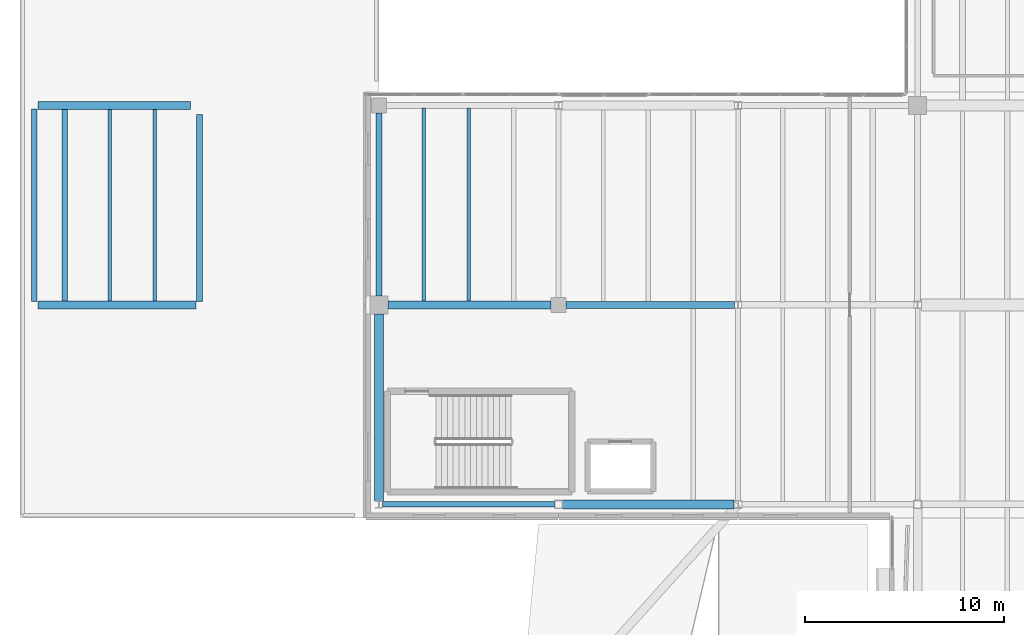
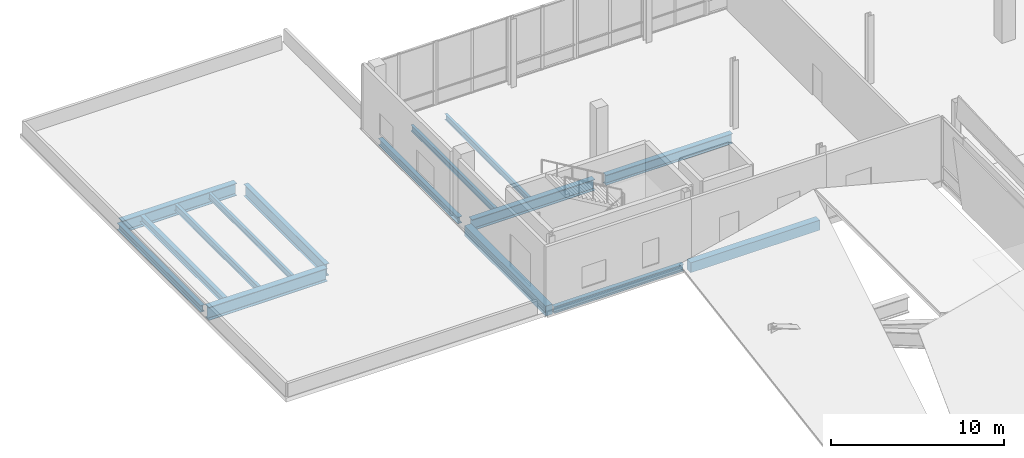
# One storey, part 12 of 41: 15 beams.
"""IFC4 building model written with IfcOpenShell, lengths in metres."""

import ifcopenshell
import ifcopenshell.guid

model = None  # the IFC model being written
_history = None  # IfcOwnerHistory: only IFC2X3 demands one
_inside = {}  # id of a spatial element -> (the spatial element, [elements in it])
_under = {}  # id of a project, library or spatial element -> (it, [spatial elements below it])
_declared = {}  # id of a project -> (the project, [libraries it declares])
_typed = {}  # id of a type object -> (the type object, [elements of that type])
_made_of = {}  # id of a material, layer set ... -> (it, [elements and type objects made of it])


def new_model(schema):
    """Start an empty IFC model of exactly this schema.

    Asked for "IFC4X3", IfcOpenShell would pick the latest addendum, in which some entities
    have other attributes; the version numbers below select the first issue.
    IFC2X3 requires an IfcOwnerHistory on every rooted entity: one is made here for all.
    """
    global model, _history
    if schema == "IFC4X3":
        model = ifcopenshell.file(schema_version=(4, 3, 0, 0))
    else:
        model = ifcopenshell.file(schema=schema)
    _inside.clear()
    _under.clear()
    _declared.clear()
    _typed.clear()
    _made_of.clear()
    _history = None
    if model.schema == "IFC2X3":
        org = make("IfcOrganization", Name="unknown")
        user = make(
            "IfcPersonAndOrganization",
            ThePerson=make("IfcPerson", FamilyName="unknown"),
            TheOrganization=org,
        )
        app = make(
            "IfcApplication",
            ApplicationDeveloper=org,
            Version="unknown",
            ApplicationFullName="unknown",
            ApplicationIdentifier="unknown",
        )
        _history = make(
            "IfcOwnerHistory",
            OwningUser=user,
            OwningApplication=app,
            ChangeAction="ADDED",
            CreationDate=0,
        )
    return model


def make(cls, **values):
    """One entity of the class cls with the attributes given. An attribute that is None is left unset."""
    return model.create_entity(
        cls, **{name: value for name, value in values.items() if value is not None}
    )


def rooted(cls, **values):
    """An entity with a GlobalId (a new one), such as an element, a storey or a relation."""
    return make(cls, GlobalId=ifcopenshell.guid.new(), OwnerHistory=_history, **values)


def si_unit(unit_type, name, prefix=None):
    """IfcSIUnit, for example si_unit("LENGTHUNIT", "METRE", prefix="MILLI")."""
    return make("IfcSIUnit", UnitType=unit_type, Prefix=prefix, Name=name)


def assignment(units):
    """IfcUnitAssignment: the units of a project."""
    return None if units is None else make("IfcUnitAssignment", Units=units)


def point(xyz):
    """IfcCartesianPoint."""
    return None if xyz is None else make("IfcCartesianPoint", Coordinates=xyz)


def direction(xyz):
    """IfcDirection."""
    return None if xyz is None else make("IfcDirection", DirectionRatios=xyz)


def frame(location, z_axis=None, x_axis=None):
    """IfcAxis2Placement3D, a coordinate frame: its origin and axes. An axis left out is left unset."""
    return make(
        "IfcAxis2Placement3D",
        Location=point(location),
        Axis=direction(z_axis),
        RefDirection=direction(x_axis),
    )


def frame_2d(location, x_axis=None):
    """IfcAxis2Placement2D, a coordinate frame in the plane: its origin and x axis."""
    return make(
        "IfcAxis2Placement2D", Location=point(location), RefDirection=direction(x_axis)
    )


def origin():
    """The frame at (0, 0, 0) with its axes left unset."""
    return frame((0.0, 0.0, 0.0))


def origin_2d():
    """The frame at (0, 0) in the plane with its x axis left unset."""
    return frame_2d((0.0, 0.0))


def place(relative_to, where):
    """IfcLocalPlacement: puts the frame where relative to a parent placement (None: the world)."""
    return make(
        "IfcLocalPlacement", PlacementRelTo=relative_to, RelativePlacement=where
    )


def context(
    kind, dimensions, precision=None, world=None, true_north=None, identifier=None
):
    """IfcGeometricRepresentationContext, for example the 3D "Model" context."""
    return make(
        "IfcGeometricRepresentationContext",
        ContextIdentifier=identifier,
        ContextType=kind,
        CoordinateSpaceDimension=dimensions,
        Precision=precision,
        WorldCoordinateSystem=world,
        TrueNorth=true_north,
    )


def subcontext(parent, identifier, kind, view, scale=None):
    """IfcGeometricRepresentationSubContext, for example "Body" below "Model"."""
    return make(
        "IfcGeometricRepresentationSubContext",
        ContextIdentifier=identifier,
        ContextType=kind,
        ParentContext=parent,
        TargetScale=scale,
        TargetView=view,
    )


def project(units=None, contexts=None):
    """IfcProject with its units and contexts."""
    return rooted(
        "IfcProject",
        Name="project",
        RepresentationContexts=contexts,
        UnitsInContext=assignment(units),
    )


def spatial(cls, under=None, at=None, **own):
    """A site, building, storey or space (cls), placed at a placement, below another one or the project."""
    s = rooted(cls, ObjectPlacement=at, **own)
    if under is not None:
        _under.setdefault(under.id(), (under, []))[1].append(s)
    return s


def profile(cls, at=None, kind="AREA", **sizes):
    """A parametric profile (cls). Its sizes go by their IFC names, for example OverallWidth=200.0."""
    return make(cls, ProfileType=kind, Position=at, **sizes)


def rectangle(**sizes):
    """IfcRectangleProfileDef."""
    return profile("IfcRectangleProfileDef", **sizes)


def i_section(**sizes):
    """IfcIShapeProfileDef."""
    return profile("IfcIShapeProfileDef", **sizes)


def extrude(swept, where, along, depth):
    """IfcExtrudedAreaSolid: the profile swept, set in the frame where, extruded along a direction by depth."""
    return make(
        "IfcExtrudedAreaSolid",
        SweptArea=swept,
        Position=where,
        ExtrudedDirection=direction(along),
        Depth=depth,
    )


def shape(context_of_items, identifier, shape_type, items):
    """IfcShapeRepresentation: the items that make up one representation, for example the "Body"."""
    return make(
        "IfcShapeRepresentation",
        ContextOfItems=context_of_items,
        RepresentationIdentifier=identifier,
        RepresentationType=shape_type,
        Items=items,
    )


def material(Name=None, Category=None):
    """IfcMaterial."""
    return make("IfcMaterial", Name=Name, Category=Category)


def material_profile(
    of_material, cross_section, Name=None, Category=None, Priority=None
):
    """IfcMaterialProfile: a cross section and its material."""
    return make(
        "IfcMaterialProfile",
        Name=Name,
        Material=of_material,
        Profile=cross_section,
        Priority=Priority,
        Category=Category,
    )


def profile_set(profiles, Name=None, composite=None):
    """IfcMaterialProfileSet."""
    return make(
        "IfcMaterialProfileSet",
        Name=Name,
        MaterialProfiles=profiles,
        CompositeProfile=composite,
    )


def made_of(thing, what):
    """Note that an element or type object is made of a material, layer set ...; save() writes the relation."""
    if what is not None:
        _made_of.setdefault(what.id(), (what, []))[1].append(thing)
    return thing


def type_object(cls, material=None, **own):
    """A type object (cls), such as IfcWallType, which elements share."""
    return made_of(rooted(cls, **own), material)


def element(
    cls,
    number,
    at=None,
    inside=None,
    cuts=None,
    type_object=None,
    material=None,
    context=None,
    identifier="Body",
    shape_type=None,
    held_by="IfcProductDefinitionShape",
    body=None,
    shapes=None,
    **own,
):
    """One element of the class cls, such as IfcWall. Its Tag is "e" and its number.

    at: its placement. inside: the storey or other place that contains it. cuts: it is an
    opening in that element (IfcRelVoidsElement). A single representation is given by context,
    identifier, shape_type and body (its items); several are given by shapes. held_by: the class
    of the entity that holds the representations. save() writes the other relations.
    """
    e = rooted(cls, Tag="e%d" % number, ObjectPlacement=at, **own)
    if body is not None:
        shapes = [shape(context, identifier, shape_type, body)]
    if shapes is not None:
        e.Representation = make(held_by, Representations=shapes)
    if inside is not None:
        _inside.setdefault(inside.id(), (inside, []))[1].append(e)
    if cuts is not None:
        rooted(
            "IfcRelVoidsElement", RelatingBuildingElement=cuts, RelatedOpeningElement=e
        )
    if type_object is not None:
        _typed.setdefault(type_object.id(), (type_object, []))[1].append(e)
    return made_of(e, material)


def aggregate(whole, parts):
    """IfcRelAggregates: a whole, such as a stair, and the parts it consists of."""
    return rooted("IfcRelAggregates", RelatingObject=whole, RelatedObjects=parts)


def save(model, path):
    """Write the relations noted so far, then the file.

    IfcRelAggregates (storeys below a building ...), IfcRelContainedInSpatialStructure (elements
    in a storey), IfcRelDefinesByType, IfcRelAssociatesMaterial and IfcRelDeclares: one each for
    every whole, place, type object, material and project.
    """
    for whole, parts in _under.values():
        aggregate(whole, parts)
    for where, things in _inside.values():
        rooted(
            "IfcRelContainedInSpatialStructure",
            RelatedElements=things,
            RelatingStructure=where,
        )
    for kind, things in _typed.values():
        rooted("IfcRelDefinesByType", RelatedObjects=things, RelatingType=kind)
    for what, things in _made_of.values():
        rooted("IfcRelAssociatesMaterial", RelatedObjects=things, RelatingMaterial=what)
    for by, libraries in _declared.values():
        rooted("IfcRelDeclares", RelatingContext=by, RelatedDefinitions=libraries)
    model.write(path)


model = new_model("IFC4")

# Units and contexts
model_context = context("Model", 3, precision=1e-05, world=origin(), true_north=direction((0.0, 1.0)))
body_context = subcontext(model_context, "Body", "Model", "MODEL_VIEW")
ifc_project = project(units=[si_unit("LENGTHUNIT", "METRE"), si_unit("AREAUNIT", "SQUARE_METRE"), si_unit("VOLUMEUNIT", "CUBIC_METRE"), si_unit("PLANEANGLEUNIT", "RADIAN"), si_unit("MASSUNIT", "GRAM", prefix="KILO")], contexts=[model_context])

# Site, building, storey
site_placement = place(None, origin())
site = spatial("IfcSite", under=ifc_project, at=site_placement, CompositionType="ELEMENT")
building_placement = place(site_placement, origin())
building = spatial("IfcBuilding", under=site, at=building_placement, Name="Trimount Lyric Opera House", CompositionType="ELEMENT")
storey_placement = place(building_placement, frame((0.0, 0.0, 20.0)))
storey = spatial("IfcBuildingStorey", under=building, at=storey_placement, Name="L04", CompositionType="ELEMENT", Elevation=20.0)

# Beams
ifc_material_1 = material(Name="Steel ASTM A992 Grade 50", Category="steel")
ifc_material_profile_1 = material_profile(ifc_material_1, i_section(OverallWidth=0.4189453125, OverallDepth=0.927001953125, WebThickness=0.019287109375, FlangeThickness=0.031982421875, FilletRadius=0.02392578125, at=origin_2d()), Name="W36X231")
ifc_profile_set_1 = profile_set([ifc_material_profile_1], Name="Steel ASTM A992 Grade 50")
beam_type_1 = type_object("IfcBeamType", Name="B-02", PredefinedType="BEAM", material=ifc_profile_set_1)
beam_1_placement = place(storey_placement, frame((0.904052734375, 64.0, -0.75341796875), z_axis=(1.0, 0.0, 0.0), x_axis=(0.0, 1.0, 0.0)))
element("IfcBeam", 1, at=beam_1_placement, inside=storey, type_object=beam_type_1, Name="L04 girder X-1149", PredefinedType="BEAM", context=body_context, shape_type="SweptSolid", body=[
    extrude(i_section(OverallWidth=0.4189453125, OverallDepth=0.927001953125, WebThickness=0.019287109375, FlangeThickness=0.031982421875, FilletRadius=0.02392578125, at=origin_2d()), origin(), (0.0, 0.0, 1.0), 7.909423828125),
])
ifc_material_2 = material(Name="Steel ASTM A992 Grade 50", Category="steel")
ifc_material_profile_2 = material_profile(ifc_material_2, i_section(OverallWidth=0.40087890625, OverallDepth=0.861083984375, WebThickness=0.019775390625, FlangeThickness=0.032470703125, FilletRadius=0.02001953125, at=origin_2d()), Name="W33X221")
ifc_profile_set_2 = profile_set([ifc_material_profile_2], Name="Steel ASTM A992 Grade 50")
beam_type_2 = type_object("IfcBeamType", Name="B-04", PredefinedType="BEAM", material=ifc_profile_set_2)
beam_2_placement = place(storey_placement, frame((0.906494140625, 74.0, -0.720458984375), z_axis=(1.0, 0.0, 0.0), x_axis=(0.0, 1.0, 0.0)))
element("IfcBeam", 2, at=beam_2_placement, inside=storey, type_object=beam_type_2, Name="L04 girder X-1158", PredefinedType="BEAM", context=body_context, shape_type="SweptSolid", body=[
    extrude(i_section(OverallWidth=0.40087890625, OverallDepth=0.861083984375, WebThickness=0.019775390625, FlangeThickness=0.032470703125, FilletRadius=0.02001953125, at=origin_2d()), origin(), (0.0, 0.0, 1.0), 7.6435546875),
])
ifc_material_3 = material(Name="Steel ASTM A992 Grade 50", Category="steel")
ifc_material_profile_3 = material_profile(ifc_material_3, i_section(OverallWidth=0.2919921875, OverallDepth=0.845947265625, WebThickness=0.015380859375, FlangeThickness=0.0244140625, FilletRadius=0.01806640625, at=origin_2d()), Name="W33X141")
ifc_profile_set_3 = profile_set([ifc_material_profile_3], Name="Steel ASTM A992 Grade 50")
beam_type_3 = type_object("IfcBeamType", Name="B-05", PredefinedType="BEAM", material=ifc_profile_set_3)
beam_3_placement = place(storey_placement, frame((9.0, 64.18408203125, -0.712890625), z_axis=(0.0, 1.0, 0.0), x_axis=(-1.0, 0.0, 0.0)))
element("IfcBeam", 3, at=beam_3_placement, inside=storey, type_object=beam_type_3, Name="L04 girder Y-1188", PredefinedType="BEAM", context=body_context, shape_type="SweptSolid", body=[
    extrude(i_section(OverallWidth=0.2919921875, OverallDepth=0.845947265625, WebThickness=0.015380859375, FlangeThickness=0.0244140625, FilletRadius=0.01806640625, at=origin_2d()), origin(), (0.0, 0.0, 1.0), 9.365966796875),
])
ifc_material_4 = material(Name="Steel ASTM A992 Grade 50", Category="steel")
ifc_material_profile_4 = material_profile(ifc_material_4, i_section(OverallWidth=0.382080078125, OverallDepth=0.779052734375, WebThickness=0.01806640625, FlangeThickness=0.0302734375, FilletRadius=0.01904296875, at=origin_2d()), Name="W30X191")
ifc_profile_set_4 = profile_set([ifc_material_profile_4], Name="Steel ASTM A992 Grade 50")
beam_type_4 = type_object("IfcBeamType", Name="B-06", PredefinedType="BEAM", material=ifc_profile_set_4)
beam_4_placement = place(storey_placement, frame((18.449951171875, 64.0, -0.66943359375), z_axis=(1.0, 0.0, 0.0), x_axis=(0.0, 1.0, 0.0)))
element("IfcBeam", 4, at=beam_4_placement, inside=storey, type_object=beam_type_4, Name="L04 girder X-1150", PredefinedType="BEAM", context=body_context, shape_type="SweptSolid", body=[
    extrude(i_section(OverallWidth=0.382080078125, OverallDepth=0.779052734375, WebThickness=0.01806640625, FlangeThickness=0.0302734375, FilletRadius=0.01904296875, at=origin_2d()), origin(), (0.0, 0.0, 1.0), 8.175048828125),
])
ifc_material_5 = material(Name="Steel ASTM A992 Grade 50", Category="steel")
ifc_material_profile_5 = material_profile(ifc_material_5, i_section(OverallWidth=0.35595703125, OverallDepth=0.700927734375, WebThickness=0.016845703125, FlangeThickness=0.02734375, FilletRadius=0.01806640625, at=origin_2d()), Name="W27X161")
ifc_profile_set_5 = profile_set([ifc_material_profile_5], Name="Steel ASTM A992 Grade 50")
beam_type_5 = type_object("IfcBeamType", Name="B-08", PredefinedType="BEAM", material=ifc_profile_set_5)
beam_5_placement = place(storey_placement, frame((27.375, 64.0, -0.630615234375), z_axis=(1.0, 0.0, 0.0), x_axis=(0.0, 1.0, 0.0)))
element("IfcBeam", 5, at=beam_5_placement, inside=storey, type_object=beam_type_5, Name="L04 girder X-1151", PredefinedType="BEAM", context=body_context, shape_type="SweptSolid", body=[
    extrude(i_section(OverallWidth=0.35595703125, OverallDepth=0.700927734375, WebThickness=0.016845703125, FlangeThickness=0.02734375, FilletRadius=0.01806640625, at=origin_2d()), origin(), (0.0, 0.0, 1.0), 8.44091796875),
])
ifc_material_6 = material(Name="Steel ASTM A992 Grade 50", Category="steel")
ifc_material_profile_6 = material_profile(ifc_material_6, i_section(OverallWidth=0.281982421875, OverallDepth=0.467041015625, WebThickness=0.01220703125, FlangeThickness=0.01953125, FilletRadius=0.012939453125, at=origin_2d()), Name="W18X86")
ifc_profile_set_6 = profile_set([ifc_material_profile_6], Name="Steel ASTM A992 Grade 50")
beam_type_6 = type_object("IfcBeamType", Name="J-03", PredefinedType="BEAM", material=ifc_profile_set_6)
beam_6_placement = place(storey_placement, frame((2.25, 64.20556640625, -0.5234375), z_axis=(0.0, 1.0, 0.0), x_axis=(-1.0, 0.0, 0.0)))
element("IfcBeam", 6, at=beam_6_placement, inside=storey, type_object=beam_type_6, Name="L04 composite floor joist 1131", PredefinedType="BEAM", context=body_context, shape_type="SweptSolid", body=[
    extrude(i_section(OverallWidth=0.281982421875, OverallDepth=0.467041015625, WebThickness=0.01220703125, FlangeThickness=0.01953125, FilletRadius=0.012939453125, at=origin_2d()), origin(), (0.0, 0.0, 1.0), 9.597900390625),
])
ifc_material_7 = material(Name="Steel ASTM A992 Grade 50", Category="steel")
ifc_material_profile_7 = material_profile(ifc_material_7, i_section(OverallWidth=0.19091796875, OverallDepth=0.45703125, WebThickness=0.009033203125, FlangeThickness=0.014404296875, FilletRadius=0.010986328125, at=origin_2d()), Name="W18X50")
ifc_profile_set_7 = profile_set([ifc_material_profile_7], Name="Steel ASTM A992 Grade 50")
beam_type_7 = type_object("IfcBeamType", Name="J-04", PredefinedType="BEAM", material=ifc_profile_set_7)
beam_7_placement = place(storey_placement, frame((4.5, 64.20556640625, -0.5185546875), z_axis=(0.0, 1.0, 0.0), x_axis=(-1.0, 0.0, 0.0)))
element("IfcBeam", 7, at=beam_7_placement, inside=storey, type_object=beam_type_7, Name="L04 composite floor joist 1132", PredefinedType="BEAM", context=body_context, shape_type="SweptSolid", body=[
    extrude(i_section(OverallWidth=0.19091796875, OverallDepth=0.45703125, WebThickness=0.009033203125, FlangeThickness=0.014404296875, FilletRadius=0.010986328125, at=origin_2d()), origin(), (0.0, 0.0, 1.0), 9.597900390625),
])
ifc_material_8 = material(Name="Steel ASTM A992 Grade 50", Category="steel")
ifc_material_profile_8 = material_profile(ifc_material_8, i_section(OverallWidth=0.180908203125, OverallDepth=0.4169921875, WebThickness=0.010986328125, FlangeThickness=0.018310546875, FilletRadius=0.010986328125, at=origin_2d()), Name="W16X57")
ifc_profile_set_8 = profile_set([ifc_material_profile_8], Name="Steel ASTM A992 Grade 50")
beam_type_8 = type_object("IfcBeamType", Name="J-05", PredefinedType="BEAM", material=ifc_profile_set_8)
beam_8_placement = place(storey_placement, frame((6.75, 64.20556640625, -0.49853515625), z_axis=(0.0, 1.0, 0.0), x_axis=(-1.0, 0.0, 0.0)))
element("IfcBeam", 8, at=beam_8_placement, inside=storey, type_object=beam_type_8, Name="L04 composite floor joist 1133", PredefinedType="BEAM", context=body_context, shape_type="SweptSolid", body=[
    extrude(i_section(OverallWidth=0.180908203125, OverallDepth=0.4169921875, WebThickness=0.010986328125, FlangeThickness=0.018310546875, FilletRadius=0.010986328125, at=origin_2d()), origin(), (0.0, 0.0, 1.0), 9.597900390625),
])
beam_9_placement = place(storey_placement, frame((20.25, 64.18701171875, -0.488525390625), z_axis=(0.0, 1.0, 0.0), x_axis=(-1.0, 0.0, 0.0)))
element("IfcBeam", 9, at=beam_9_placement, inside=storey, type_object=beam_type_8, Name="L04 composite floor joist 1134", PredefinedType="BEAM", context=body_context, shape_type="SweptSolid", body=[
    extrude(i_section(OverallWidth=0.180908203125, OverallDepth=0.4169921875, WebThickness=0.010986328125, FlangeThickness=0.018310546875, FilletRadius=0.010986328125, at=origin_2d()), origin(), (0.0, 0.0, 1.0), 9.676025390625),
])
ifc_material_9 = material(Name="Steel ASTM A992 Grade 50", Category="steel")
ifc_material_profile_9 = material_profile(ifc_material_9, i_section(OverallWidth=0.177978515625, OverallDepth=0.404052734375, WebThickness=0.007568359375, FlangeThickness=0.010986328125, FilletRadius=0.010009765625, at=origin_2d()), Name="W16X36")
ifc_profile_set_9 = profile_set([ifc_material_profile_9], Name="Steel ASTM A992 Grade 50")
beam_type_9 = type_object("IfcBeamType", Name="J-06", PredefinedType="BEAM", material=ifc_profile_set_9)
beam_10_placement = place(storey_placement, frame((22.5, 64.18701171875, -0.48193359375), z_axis=(0.0, 1.0, 0.0), x_axis=(-1.0, 0.0, 0.0)))
element("IfcBeam", 10, at=beam_10_placement, inside=storey, type_object=beam_type_9, Name="L04 composite floor joist 1135", PredefinedType="BEAM", context=body_context, shape_type="SweptSolid", body=[
    extrude(i_section(OverallWidth=0.177978515625, OverallDepth=0.404052734375, WebThickness=0.007568359375, FlangeThickness=0.010986328125, FilletRadius=0.010009765625, at=origin_2d()), origin(), (0.0, 0.0, 1.0), 9.676025390625),
])
ifc_material_10 = material(Name="Steel ASTM A992 Grade 50", Category="steel")
ifc_material_profile_10 = material_profile(ifc_material_10, i_section(OverallWidth=0.281982421875, OverallDepth=0.467041015625, WebThickness=0.01220703125, FlangeThickness=0.01953125, FilletRadius=0.012939453125, at=origin_2d()), Name="W18X86")
ifc_profile_set_10 = profile_set([ifc_material_profile_10], Name="Steel ASTM A992 Grade 50")
beam_type_10 = type_object("IfcBeamType", Name="SP-01", PredefinedType="SPANDREL", material=ifc_profile_set_10)
beam_11_placement = place(storey_placement, frame((18.18408203125, 54.0, -0.513427734375), z_axis=(1.0, 0.0, 0.0), x_axis=(0.0, 1.0, 0.0)))
element("IfcBeam", 11, at=beam_11_placement, inside=storey, type_object=beam_type_10, Name="L04 girder X-1137", PredefinedType="SPANDREL", context=body_context, shape_type="SweptSolid", body=[
    extrude(i_section(OverallWidth=0.281982421875, OverallDepth=0.467041015625, WebThickness=0.01220703125, FlangeThickness=0.01953125, FilletRadius=0.012939453125, at=origin_2d()), origin(), (0.0, 0.0, 1.0), 8.61279296875),
])
beam_12_placement = place(storey_placement, frame((0.719970703125, 64.177978515625, -0.5234375), z_axis=(0.0, 1.0, 0.0), x_axis=(-1.0, 0.0, 0.0)))
element("IfcBeam", 12, at=beam_12_placement, inside=storey, type_object=beam_type_10, Name="L04 girder Y-1187", PredefinedType="SPANDREL", context=body_context, shape_type="SweptSolid", body=[
    extrude(i_section(OverallWidth=0.281982421875, OverallDepth=0.467041015625, WebThickness=0.01220703125, FlangeThickness=0.01953125, FilletRadius=0.012939453125, at=origin_2d()), origin(), (0.0, 0.0, 1.0), 9.637939453125),
])
beam_13_placement = place(storey_placement, frame((18.0, 64.449951171875, -0.513427734375), z_axis=(0.0, 1.0, 0.0), x_axis=(-1.0, 0.0, 0.0)))
element("IfcBeam", 13, at=beam_13_placement, inside=storey, type_object=beam_type_10, Name="L04 girder Y-1190", PredefinedType="SPANDREL", context=body_context, shape_type="SweptSolid", body=[
    extrude(i_section(OverallWidth=0.281982421875, OverallDepth=0.467041015625, WebThickness=0.01220703125, FlangeThickness=0.01953125, FilletRadius=0.012939453125, at=origin_2d()), origin(), (0.0, 0.0, 1.0), 9.175048828125),
])
ifc_material_11 = material(Name="Concrete C40/50", Category="concrete")
ifc_material_profile_11 = material_profile(ifc_material_11, rectangle(XDim=0.449951171875, YDim=0.699951171875, at=origin_2d()), Name="RC450X700")
ifc_profile_set_11 = profile_set([ifc_material_profile_11], Name="Concrete C40/50")
beam_type_11 = type_object("IfcBeamType", Name="SP-02", PredefinedType="SPANDREL", material=ifc_profile_set_11)
beam_14_placement = place(storey_placement, frame((27.203125, 54.0, -0.6298828125), z_axis=(1.0, 0.0, 0.0), x_axis=(0.0, 1.0, 0.0)))
element("IfcBeam", 14, at=beam_14_placement, inside=storey, type_object=beam_type_11, Name="L04 girder X-1138", PredefinedType="SPANDREL", context=body_context, shape_type="SweptSolid", body=[
    extrude(rectangle(XDim=0.449951171875, YDim=0.699951171875, at=origin_2d()), origin(), (0.0, 0.0, 1.0), 8.593994140625),
])
beam_15_placement = place(storey_placement, frame((18.0, 54.177978515625, -0.6298828125), z_axis=(0.0, 1.0, 0.0), x_axis=(-1.0, 0.0, 0.0)))
element("IfcBeam", 15, at=beam_15_placement, inside=storey, type_object=beam_type_11, Name="L04 girder Y-1189", PredefinedType="SPANDREL", context=body_context, shape_type="SweptSolid", body=[
    extrude(rectangle(XDim=0.449951171875, YDim=0.699951171875, at=origin_2d()), origin(), (0.0, 0.0, 1.0), 9.3720703125),
])

save(model, "model.ifc")
